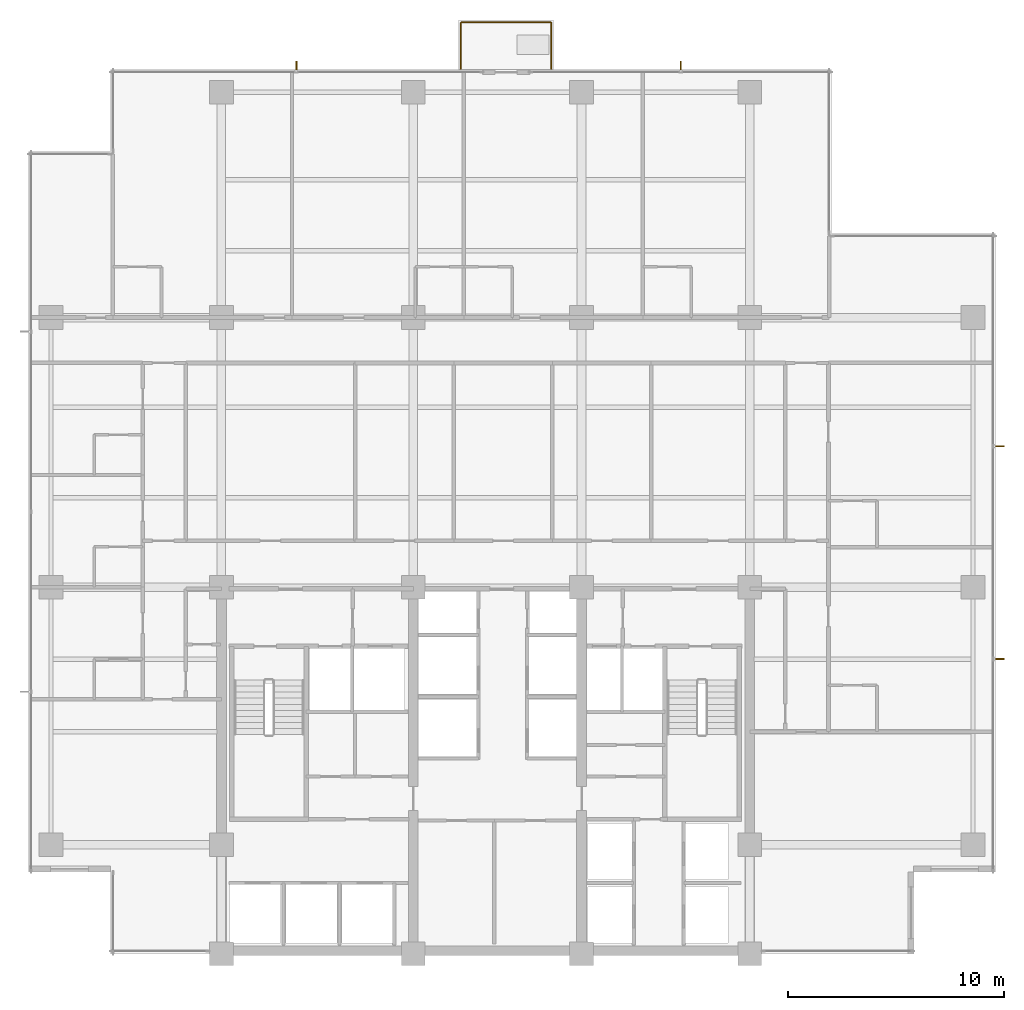
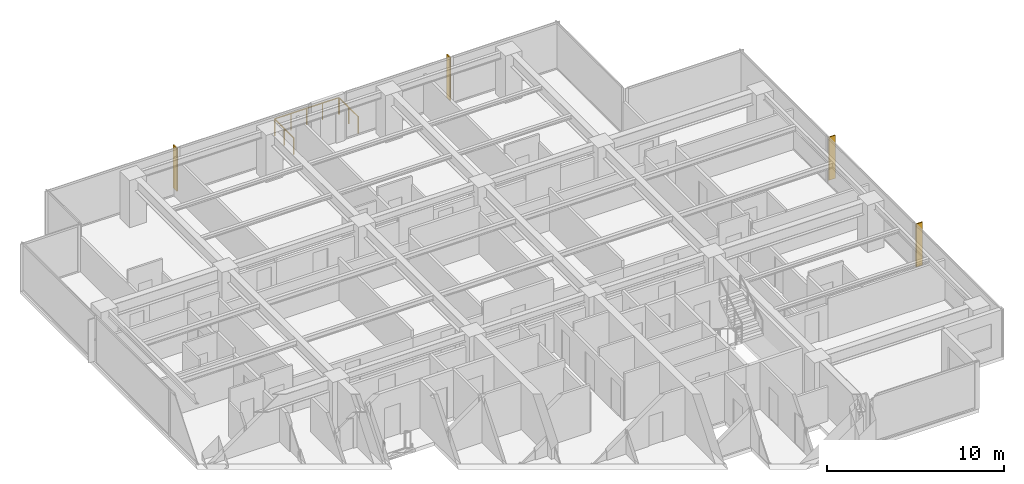
# One storey, part 16 of 16: 4 shading devices, 3 railings.
"""IFC4 building model written with IfcOpenShell, lengths in metres."""

from ifc_helpers import new_model, si_unit, direction, frame, origin, origin_2d, place, context, subcontext, project, spatial, polyline, circle, outline, extrude, material, layer, layer_set, type_object, element, save


model = new_model("IFC4")

# Units and contexts
model_context = context("Model", 3, precision=1e-05, world=origin(), true_north=direction((0.0, 1.0)))
body_context = subcontext(model_context, "Body", "Model", "MODEL_VIEW")
ifc_project = project(units=[si_unit("LENGTHUNIT", "METRE"), si_unit("AREAUNIT", "SQUARE_METRE"), si_unit("VOLUMEUNIT", "CUBIC_METRE"), si_unit("PLANEANGLEUNIT", "RADIAN"), si_unit("MASSUNIT", "GRAM", prefix="KILO")], contexts=[model_context])

# Site, building, storey
site_placement = place(None, origin())
site = spatial("IfcSite", under=ifc_project, at=site_placement, CompositionType="ELEMENT")
building_placement = place(site_placement, origin())
building = spatial("IfcBuilding", under=site, at=building_placement, Name="Qalmaran Belvedere Hotel", CompositionType="ELEMENT")
storey_placement = place(building_placement, frame((0.0, 0.0, 145.60009765625)))
storey = spatial("IfcBuildingStorey", under=building, at=storey_placement, Name="L36", CompositionType="ELEMENT", Elevation=145.60009765625)

# Shading devices
ifc_material = material(Name="Anodised Bronze Aluminium", Category="aluminium")
ifc_layer = layer(ifc_material, 0.06494140625, Name="Anodised Bronze Aluminium")
ifc_layer_set = layer_set([ifc_layer], Name="Anodised Bronze Aluminium")
shading_device_type = type_object("IfcShadingDeviceType", Name="FIN-BRNZ-420", PredefinedType="USERDEFINED", material=ifc_layer_set)
shading_device_1_placement = place(storey_placement, frame((0.0, 0.0, 0.159912109375)))
element("IfcShadingDevice", 1, at=shading_device_1_placement, inside=storey, type_object=shading_device_type, Name="L36 Bronze Fin 1", ObjectType="FIN", PredefinedType="USERDEFINED", context=body_context, shape_type="SweptSolid", body=[
    extrude(outline(polyline([(56.169921875, 17.13427734375), (56.590087890625, 17.13427734375), (56.590087890625, 17.19921875), (56.169921875, 17.19921875), (56.169921875, 17.13427734375)])), origin(), (0.0, 0.0, 1.0), 2.969970703125),
])
shading_device_2_placement = place(storey_placement, frame((0.0, 0.0, 0.159912109375)))
element("IfcShadingDevice", 2, at=shading_device_2_placement, inside=storey, type_object=shading_device_type, Name="L36 Bronze Fin 2", ObjectType="FIN", PredefinedType="USERDEFINED", context=body_context, shape_type="SweptSolid", body=[
    extrude(outline(polyline([(56.169921875, 27.000732421875), (56.590087890625, 27.000732421875), (56.590087890625, 27.06591796875), (56.169921875, 27.06591796875), (56.169921875, 27.000732421875)])), origin(), (0.0, 0.0, 1.0), 2.969970703125),
])
shading_device_3_placement = place(storey_placement, frame((0.0, 0.0, 0.159912109375)))
element("IfcShadingDevice", 3, at=shading_device_3_placement, inside=storey, type_object=shading_device_type, Name="L36 Bronze Fin 1", ObjectType="FIN", PredefinedType="USERDEFINED", context=body_context, shape_type="SweptSolid", body=[
    extrude(outline(polyline([(23.8076171875, 44.469970703125), (23.8076171875, 44.889892578125), (23.742431640625, 44.889892578125), (23.742431640625, 44.469970703125), (23.8076171875, 44.469970703125)])), origin(), (0.0, 0.0, 1.0), 2.969970703125),
])
shading_device_4_placement = place(storey_placement, frame((0.0, 0.0, 0.159912109375)))
element("IfcShadingDevice", 4, at=shading_device_4_placement, inside=storey, type_object=shading_device_type, Name="L36 Bronze Fin 1", ObjectType="FIN", PredefinedType="USERDEFINED", context=body_context, shape_type="SweptSolid", body=[
    extrude(outline(polyline([(41.632568359375, 44.469970703125), (41.632568359375, 44.889892578125), (41.5673828125, 44.889892578125), (41.5673828125, 44.469970703125), (41.632568359375, 44.469970703125)])), origin(), (0.0, 0.0, 1.0), 2.969970703125),
])

# Railings
railing_type = type_object("IfcRailingType", Name="GRD-BAL-1150", PredefinedType="BALUSTRADE", material=ifc_material)
railing_1_placement = place(storey_placement, frame((31.39990234375, 44.534912109375, 0.0)))
element("IfcRailing", 5, at=railing_1_placement, inside=storey, type_object=railing_type, Name="L36 Guardrail BAL-L36-N-1", PredefinedType="BALUSTRADE", context=body_context, shape_type="SweptSolid", body=[
    extrude(circle(Radius=0.02392578125, at=origin_2d()), frame((0.0, 0.0, 1.1259765625), z_axis=(0.0, 1.0, 0.0), x_axis=(-1.0, 0.0, 0.0)), (0.0, 0.0, 1.0), 2.130126953125),
    extrude(circle(Radius=0.02099609375, at=origin_2d()), origin(), (0.0, 0.0, 1.0), 1.101806640625),
    extrude(circle(Radius=0.02099609375, at=origin_2d()), frame((0.0, 1.06494140625, 0.0)), (0.0, 0.0, 1.0), 1.101806640625),
    extrude(circle(Radius=0.02099609375, at=origin_2d()), frame((0.0, 2.130126953125, 0.0)), (0.0, 0.0, 1.0), 1.101806640625),
])
railing_2_placement = place(storey_placement, frame((31.43505859375, 46.699951171875, 0.0)))
element("IfcRailing", 6, at=railing_2_placement, inside=storey, type_object=railing_type, Name="L36 Guardrail BAL-L36-N-2", PredefinedType="BALUSTRADE", context=body_context, shape_type="SweptSolid", body=[
    extrude(circle(Radius=0.02392578125, at=origin_2d()), frame((0.0, 0.0, 1.1259765625), z_axis=(1.0, 0.0, 0.0), x_axis=(0.0, 1.0, 0.0)), (0.0, 0.0, 1.0), 4.1298828125),
    extrude(circle(Radius=0.02099609375, at=origin_2d()), origin(), (0.0, 0.0, 1.0), 1.101806640625),
    extrude(circle(Radius=0.02099609375, at=origin_2d()), frame((1.032470703125, 0.0, 0.0)), (0.0, 0.0, 1.0), 1.101806640625),
    extrude(circle(Radius=0.02099609375, at=origin_2d()), frame((2.06494140625, 0.0, 0.0)), (0.0, 0.0, 1.0), 1.101806640625),
    extrude(circle(Radius=0.02099609375, at=origin_2d()), frame((3.097412109375, 0.0, 0.0)), (0.0, 0.0, 1.0), 1.101806640625),
    extrude(circle(Radius=0.02099609375, at=origin_2d()), frame((4.1298828125, 0.0, 0.0)), (0.0, 0.0, 1.0), 1.101806640625),
])
railing_3_placement = place(storey_placement, frame((35.60009765625, 46.6650390625, 0.0)))
element("IfcRailing", 7, at=railing_3_placement, inside=storey, type_object=railing_type, Name="L36 Guardrail BAL-L36-N-3", PredefinedType="BALUSTRADE", context=body_context, shape_type="SweptSolid", body=[
    extrude(circle(Radius=0.02392578125, at=origin_2d()), frame((0.0, 0.0, 1.1259765625), z_axis=(0.0, -1.0, 0.0), x_axis=(1.0, 0.0, 0.0)), (0.0, 0.0, 1.0), 2.130126953125),
    extrude(circle(Radius=0.02099609375, at=origin_2d()), origin(), (0.0, 0.0, 1.0), 1.101806640625),
    extrude(circle(Radius=0.02099609375, at=origin_2d()), frame((0.0, -1.06494140625, 0.0)), (0.0, 0.0, 1.0), 1.101806640625),
    extrude(circle(Radius=0.02099609375, at=origin_2d()), frame((0.0, -2.130126953125, 0.0)), (0.0, 0.0, 1.0), 1.101806640625),
])

save(model, "model.ifc")
